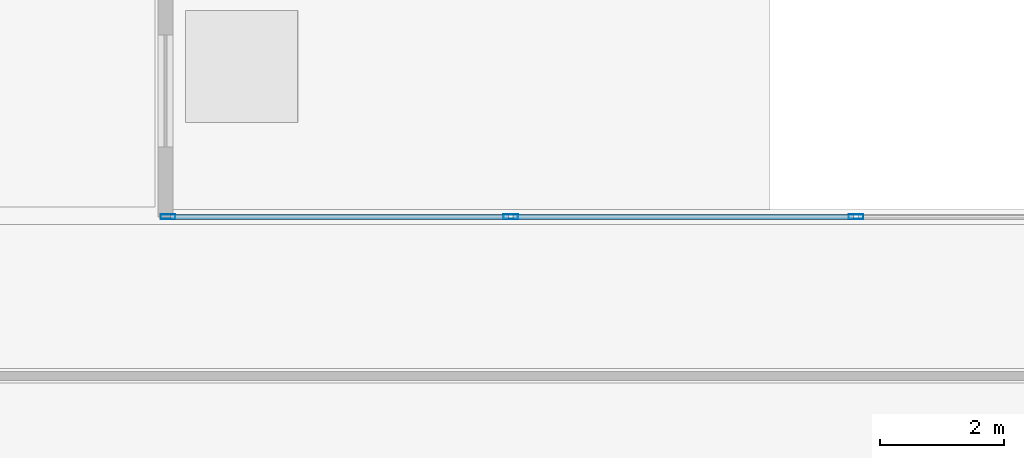
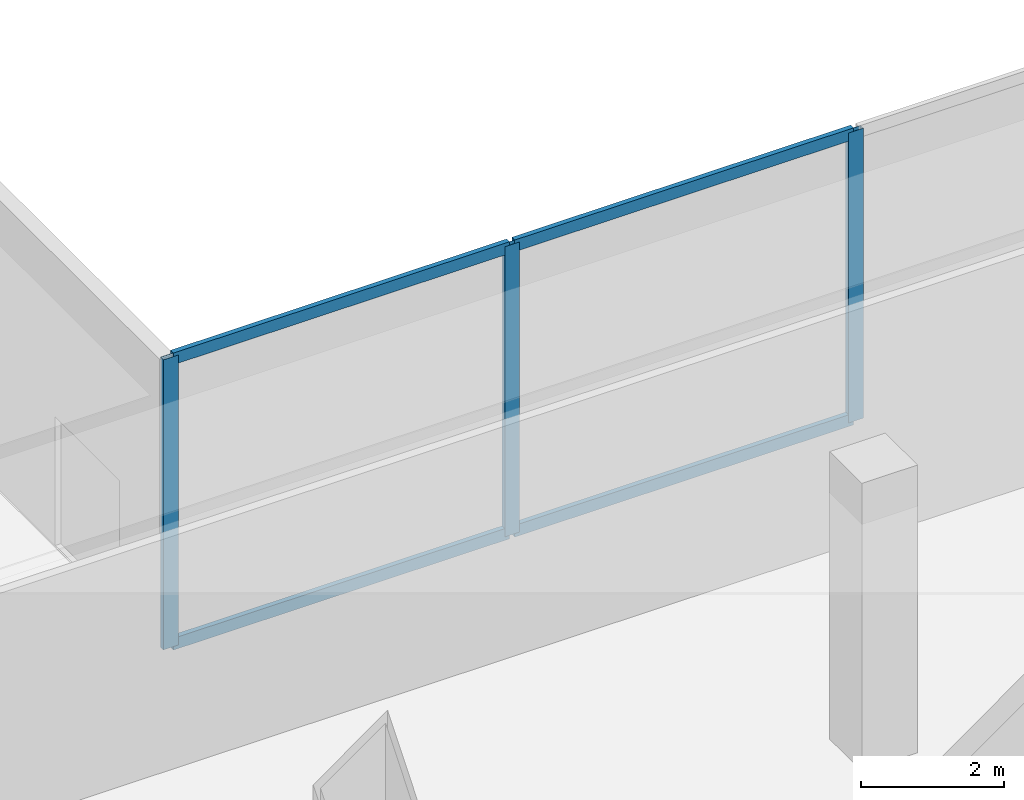
# One storey, part 3 of 17: 7 members, 1 element without a shape of its own.
"""IFC4 building model written with IfcOpenShell, lengths in metres."""

from ifc_helpers import new_model, si_unit, direction, frame, origin, origin_2d, place, context, subcontext, project, spatial, hollow_rectangle, extrude, material, material_profile, profile_set, type_object, element, aggregate, save


model = new_model("IFC4")

# Units and contexts
model_context = context("Model", 3, precision=1e-05, world=origin(), true_north=direction((0.0, 1.0)))
body_context = subcontext(model_context, "Body", "Model", "MODEL_VIEW")
ifc_project = project(units=[si_unit("LENGTHUNIT", "METRE"), si_unit("AREAUNIT", "SQUARE_METRE"), si_unit("VOLUMEUNIT", "CUBIC_METRE"), si_unit("PLANEANGLEUNIT", "RADIAN"), si_unit("MASSUNIT", "GRAM", prefix="KILO")], contexts=[model_context])

# Site, building, storey
site_placement = place(None, origin())
site = spatial("IfcSite", under=ifc_project, at=site_placement, CompositionType="ELEMENT")
building_placement = place(site_placement, origin())
building = spatial("IfcBuilding", under=site, at=building_placement, Name="Cobrela Telecom Tower", CompositionType="ELEMENT")
storey_placement = place(building_placement, origin())
storey = spatial("IfcBuildingStorey", under=building, at=storey_placement, Name="L00", CompositionType="ELEMENT", Elevation=0.0)

# Curtain wall, members
ifc_material = material(Name="Anodized Bronze Aluminium 6063-T6", Category="aluminium")
curtain_wall_type = type_object("IfcCurtainWallType", Name="CW-SYS-CONC", PredefinedType="USERDEFINED", material=ifc_material)
curtain_wall_placement = place(storey_placement, origin())
curtain_wall = element("IfcCurtainWall", 1, at=curtain_wall_placement, inside=storey, type_object=curtain_wall_type, Name="L00 Concourse Curtain Wall 11", ObjectType="UNITISED CURTAIN WALL", PredefinedType="USERDEFINED")
ifc_material_profile_1 = material_profile(ifc_material, hollow_rectangle(XDim=0.080078125, YDim=0.239990234375, WallThickness=0.0048828125, at=origin_2d()), Name="ALU 80x240x5")
ifc_profile_set_1 = profile_set([ifc_material_profile_1], Name="Anodized Bronze Aluminium 6063-T6")
member_type_1 = type_object("IfcMemberType", Name="CW-SYS-CONC-MUL", PredefinedType="MULLION", material=ifc_profile_set_1)
member_1_placement = place(storey_placement, frame((50.320068359375, 28.679931640625, 0.0), z_axis=(0.0, 0.0, 1.0), x_axis=(0.0, 1.0, 0.0)))
member_1 = element("IfcMember", 2, at=member_1_placement, type_object=member_type_1, Name="CW-CONC mullion 1", PredefinedType="MULLION", context=body_context, shape_type="SweptSolid", body=[
    extrude(hollow_rectangle(XDim=0.080078125, YDim=0.239990234375, WallThickness=0.0048828125, at=origin_2d()), origin(), (0.0, 0.0, 1.0), 4.949951171875),
])
member_2_placement = place(storey_placement, frame((55.830078125, 28.679931640625, 0.0), z_axis=(0.0, 0.0, 1.0), x_axis=(0.0, 1.0, 0.0)))
member_2 = element("IfcMember", 3, at=member_2_placement, type_object=member_type_1, Name="CW-CONC mullion 2", PredefinedType="MULLION", context=body_context, shape_type="SweptSolid", body=[
    extrude(hollow_rectangle(XDim=0.080078125, YDim=0.239990234375, WallThickness=0.0048828125, at=origin_2d()), origin(), (0.0, 0.0, 1.0), 4.949951171875),
])
member_3_placement = place(storey_placement, frame((61.3798828125, 28.679931640625, 0.0), z_axis=(0.0, 0.0, 1.0), x_axis=(0.0, 1.0, 0.0)))
member_3 = element("IfcMember", 4, at=member_3_placement, type_object=member_type_1, Name="CW-CONC mullion 3", PredefinedType="MULLION", context=body_context, shape_type="SweptSolid", body=[
    extrude(hollow_rectangle(XDim=0.080078125, YDim=0.239990234375, WallThickness=0.0048828125, at=origin_2d()), origin(), (0.0, 0.0, 1.0), 4.949951171875),
])
ifc_material_profile_2 = material_profile(ifc_material, hollow_rectangle(XDim=0.080078125, YDim=0.199951171875, WallThickness=0.00390625, at=origin_2d()), Name="ALU 80x200x4")
ifc_profile_set_2 = profile_set([ifc_material_profile_2], Name="Anodized Bronze Aluminium 6063-T6")
member_type_2 = type_object("IfcMemberType", Name="CW-SYS-CONC-TRN", PredefinedType="USERDEFINED", material=ifc_profile_set_2)
member_4_placement = place(storey_placement, frame((50.360107421875, 28.679931640625, 0.0400390625), z_axis=(1.0, 0.0, 0.0), x_axis=(0.0, 1.0, 0.0)))
member_4 = element("IfcMember", 5, at=member_4_placement, type_object=member_type_2, Name="CW-CONC transom 1.1", ObjectType="TRANSOM", PredefinedType="USERDEFINED", context=body_context, shape_type="SweptSolid", body=[
    extrude(hollow_rectangle(XDim=0.080078125, YDim=0.199951171875, WallThickness=0.00390625, at=origin_2d()), origin(), (0.0, 0.0, 1.0), 5.429931640625),
])
member_5_placement = place(storey_placement, frame((50.360107421875, 28.679931640625, 4.909912109375), z_axis=(1.0, 0.0, 0.0), x_axis=(0.0, 1.0, 0.0)))
member_5 = element("IfcMember", 6, at=member_5_placement, type_object=member_type_2, Name="CW-CONC transom 1.2", ObjectType="TRANSOM", PredefinedType="USERDEFINED", context=body_context, shape_type="SweptSolid", body=[
    extrude(hollow_rectangle(XDim=0.080078125, YDim=0.199951171875, WallThickness=0.00390625, at=origin_2d()), origin(), (0.0, 0.0, 1.0), 5.429931640625),
])
member_6_placement = place(storey_placement, frame((55.8701171875, 28.679931640625, 0.0400390625), z_axis=(1.0, 0.0, 0.0), x_axis=(0.0, 1.0, 0.0)))
member_6 = element("IfcMember", 7, at=member_6_placement, type_object=member_type_2, Name="CW-CONC transom 2.1", ObjectType="TRANSOM", PredefinedType="USERDEFINED", context=body_context, shape_type="SweptSolid", body=[
    extrude(hollow_rectangle(XDim=0.080078125, YDim=0.199951171875, WallThickness=0.00390625, at=origin_2d()), origin(), (0.0, 0.0, 1.0), 5.469970703125),
])
member_7_placement = place(storey_placement, frame((55.8701171875, 28.679931640625, 4.909912109375), z_axis=(1.0, 0.0, 0.0), x_axis=(0.0, 1.0, 0.0)))
member_7 = element("IfcMember", 8, at=member_7_placement, type_object=member_type_2, Name="CW-CONC transom 2.2", ObjectType="TRANSOM", PredefinedType="USERDEFINED", context=body_context, shape_type="SweptSolid", body=[
    extrude(hollow_rectangle(XDim=0.080078125, YDim=0.199951171875, WallThickness=0.00390625, at=origin_2d()), origin(), (0.0, 0.0, 1.0), 5.469970703125),
])
aggregate(curtain_wall, [member_1, member_2, member_3, member_4, member_5, member_6, member_7])

save(model, "model.ifc")
